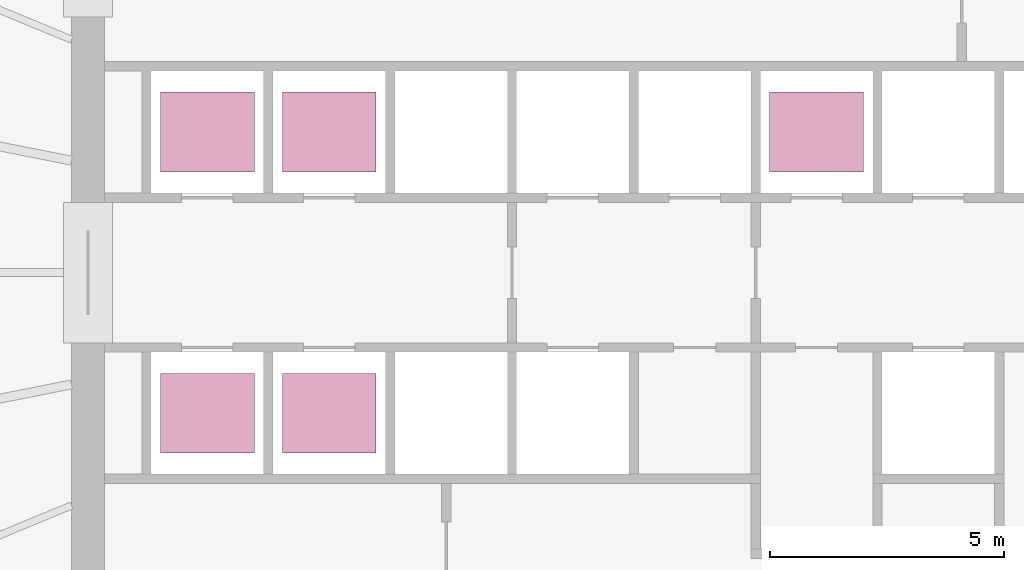
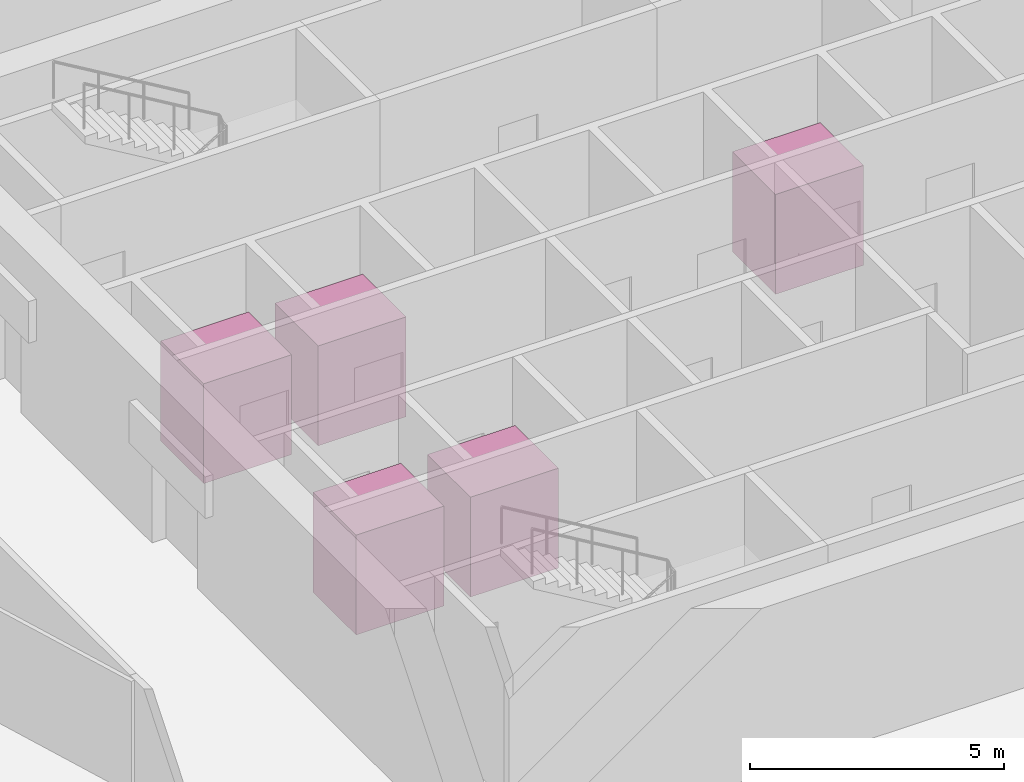
# One storey, part 9 of 9: 5 transport elements.
"""IFC4 building model written with IfcOpenShell, lengths in metres."""

from ifc_helpers import new_model, si_unit, direction, frame, origin, origin_2d, place, context, subcontext, project, spatial, rectangle, extrude, material, type_object, element, save


model = new_model("IFC4")

# Units and contexts
model_context = context("Model", 3, precision=1e-05, world=origin(), true_north=direction((0.0, 1.0)))
body_context = subcontext(model_context, "Body", "Model", "MODEL_VIEW")
ifc_project = project(units=[si_unit("LENGTHUNIT", "METRE"), si_unit("AREAUNIT", "SQUARE_METRE"), si_unit("VOLUMEUNIT", "CUBIC_METRE"), si_unit("PLANEANGLEUNIT", "RADIAN"), si_unit("MASSUNIT", "GRAM", prefix="KILO")], contexts=[model_context])

# Site, building, storey
site_placement = place(None, origin())
site = spatial("IfcSite", under=ifc_project, at=site_placement, CompositionType="ELEMENT")
building_placement = place(site_placement, origin())
building = spatial("IfcBuilding", under=site, at=building_placement, Name="Corvane Civic Tower", CompositionType="ELEMENT")
storey_placement = place(building_placement, frame((0.0, 0.0, 263.0)))
storey = spatial("IfcBuildingStorey", under=building, at=storey_placement, Name="L62", CompositionType="ELEMENT", Elevation=263.0)

# Transport elements
ifc_material = material(Name="Stainless steel 316 car", Category="steel")
transport_element_type = type_object("IfcTransportElementType", Name="LIFT-CAR-2000X1700", PredefinedType="ELEVATOR", material=ifc_material)
for number, where, z_axis, x_axis, name in (
    (1, (-9.10009765625, 3.0, 0.0), (0.0, 0.0, 1.0), (1.0, 0.0, 0.0), "High-rise lift 1"),
    (2, (-6.5, 3.0, 0.0), (0.0, 0.0, 1.0), (1.0, 0.0, 0.0), "High-rise lift 2"),
    (3, (-9.10009765625, -3.0, 0.0), (0.0, 0.0, 1.0), (1.0, 0.0, 0.0), "High-rise lift 3"),
    (4, (-6.5, -3.0, 0.0), (0.0, 0.0, 1.0), (1.0, 0.0, 0.0), "High-rise lift 4"),
    (5, (3.89990234375, 3.0, 0.0), (0.0, 0.0, 1.0), (1.0, 0.0, 0.0), "High-rise lift 5"),
):
    element("IfcTransportElement", number, at=place(storey_placement, frame(where, z_axis=z_axis, x_axis=x_axis)), inside=storey, type_object=transport_element_type, Name=name, PredefinedType="ELEVATOR", context=body_context, shape_type="SweptSolid", body=[
        extrude(rectangle(XDim=2.0, YDim=1.699951171875, at=origin_2d()), origin(), (0.0, 0.0, 1.0), 2.39990234375),
    ])

save(model, "model.ifc")
